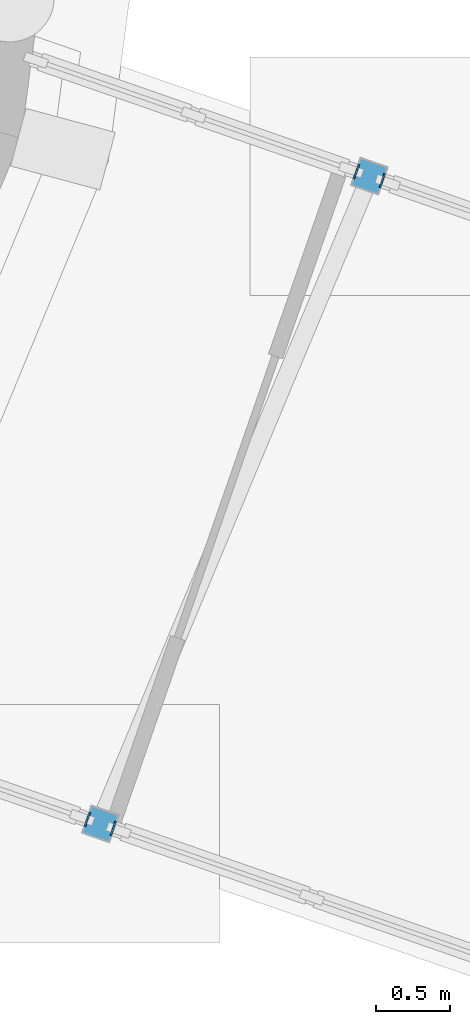
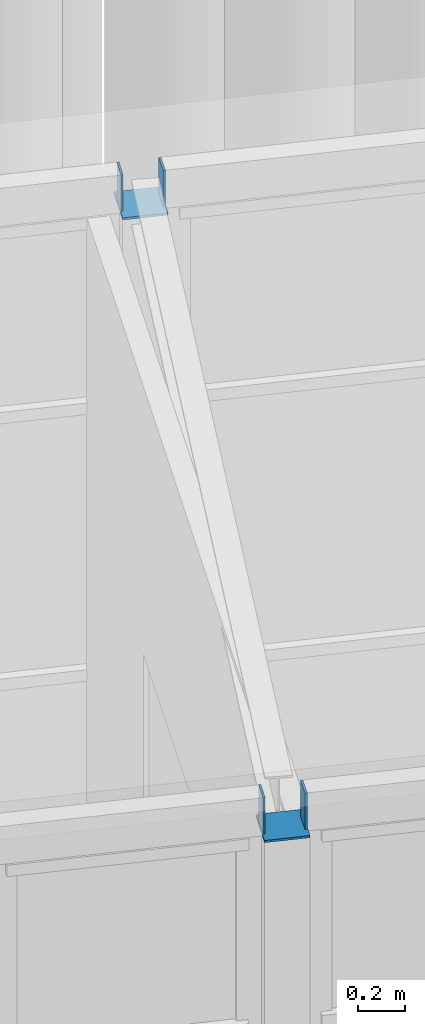
# One storey, part 184 of 226: 6 discrete accessories.
"""IFC4 building model written with IfcOpenShell, lengths in metres."""

from ifc_helpers import new_model, si_unit, direction, frame, origin, origin_2d, place, context, subcontext, project, spatial, rectangle, extrude, material, material_profile, profile_set, type_object, element, save


model = new_model("IFC4")

# Units and contexts
model_context = context("Model", 3, precision=1e-05, world=origin(), true_north=direction((0.0, 1.0)))
body_context = subcontext(model_context, "Body", "Model", "MODEL_VIEW")
ifc_project = project(units=[si_unit("LENGTHUNIT", "METRE"), si_unit("AREAUNIT", "SQUARE_METRE"), si_unit("VOLUMEUNIT", "CUBIC_METRE"), si_unit("PLANEANGLEUNIT", "RADIAN"), si_unit("MASSUNIT", "GRAM", prefix="KILO")], contexts=[model_context])

# Site, building, storey
site_placement = place(None, origin())
site = spatial("IfcSite", under=ifc_project, at=site_placement, CompositionType="ELEMENT")
building_placement = place(site_placement, origin())
building = spatial("IfcBuilding", under=site, at=building_placement, Name="Ceibo Conservatory and Research Tower", CompositionType="ELEMENT")
storey_placement = place(building_placement, origin())
storey = spatial("IfcBuildingStorey", under=building, at=storey_placement, Name="L00", CompositionType="ELEMENT", Elevation=0.0)

# Discrete accessories
ifc_material = material(Name="Steel S355J2", Category="steel")
ifc_material_profile_1 = material_profile(ifc_material, rectangle(XDim=0.10009765625, YDim=0.199951171875, at=origin_2d()), Name="End plate PL 200x100x8")
ifc_profile_set_1 = profile_set([ifc_material_profile_1], Name="Steel S355J2")
discrete_accessory_type_1 = type_object("IfcDiscreteAccessoryType", Name="End plate PL 200x100x8", PredefinedType="USERDEFINED", material=ifc_profile_set_1)
for number, where, z_axis, x_axis, name in (
    (1, (71.948486328125, 68.15283203125, 3.89990234375), (0.941194670762, -0.337864753607, 0.0), (0.337864753607, 0.941194670762, 0.0), "Gallery edge beam AUD-VC-EBN01 end plate"),
    (2, (72.122314453125, 68.09228515625, 3.89990234375), (0.948683298051, -0.316227766017, 0.0), (0.316227766017, 0.948683298051, 0.0), "Gallery edge beam AUD-VC-EBN02 end plate"),
    (3, (70.142578125, 63.8046875, 3.89990234375), (0.941194670762, -0.337864753607, 0.0), (0.337864753607, 0.941194670762, 0.0), "Gallery edge beam AUD-VC-EBS01 end plate"),
    (4, (70.31640625, 63.744140625, 3.89990234375), (0.948683298051, -0.316227766017, 0.0), (0.316227766017, 0.948683298051, 0.0), "Gallery edge beam AUD-VC-EBS02 end plate"),
):
    element("IfcDiscreteAccessory", number, at=place(storey_placement, frame(where, z_axis=z_axis, x_axis=x_axis)), inside=storey, type_object=discrete_accessory_type_1, Name=name, ObjectType="End plate", PredefinedType="USERDEFINED", context=body_context, shape_type="SweptSolid", body=[
        extrude(rectangle(XDim=0.10009765625, YDim=0.199951171875, at=origin_2d()), origin(), (0.0, 0.0, 1.0), 0.010009765625),
    ])
ifc_material_profile_2 = material_profile(ifc_material, rectangle(XDim=0.199951171875, YDim=0.199951171875, at=origin_2d()), Name="End plate PL 200x200x10")
ifc_profile_set_2 = profile_set([ifc_material_profile_2], Name="Steel S355J2")
discrete_accessory_type_2 = type_object("IfcDiscreteAccessoryType", Name="End plate PL 200x200x10", PredefinedType="USERDEFINED", material=ifc_profile_set_2)
for number, where, z_axis, x_axis, name in (
    (5, (72.0400390625, 68.120849609375, 3.798095703125), (0.0, 0.0, 1.0), (0.944579236191, -0.328283515513, 0.0), "Gallery column AUD-VC-CN01 end plate"),
    (6, (70.234375, 63.772705078125, 3.798095703125), (0.0, 0.0, 1.0), (0.944579236191, -0.328283515513, 0.0), "Gallery column AUD-VC-CS01 end plate"),
):
    element("IfcDiscreteAccessory", number, at=place(storey_placement, frame(where, z_axis=z_axis, x_axis=x_axis)), inside=storey, type_object=discrete_accessory_type_2, Name=name, ObjectType="End plate", PredefinedType="USERDEFINED", context=body_context, shape_type="SweptSolid", body=[
        extrude(rectangle(XDim=0.199951171875, YDim=0.199951171875, at=origin_2d()), origin(), (0.0, 0.0, 1.0), 0.011962890625),
    ])

save(model, "model.ifc")
